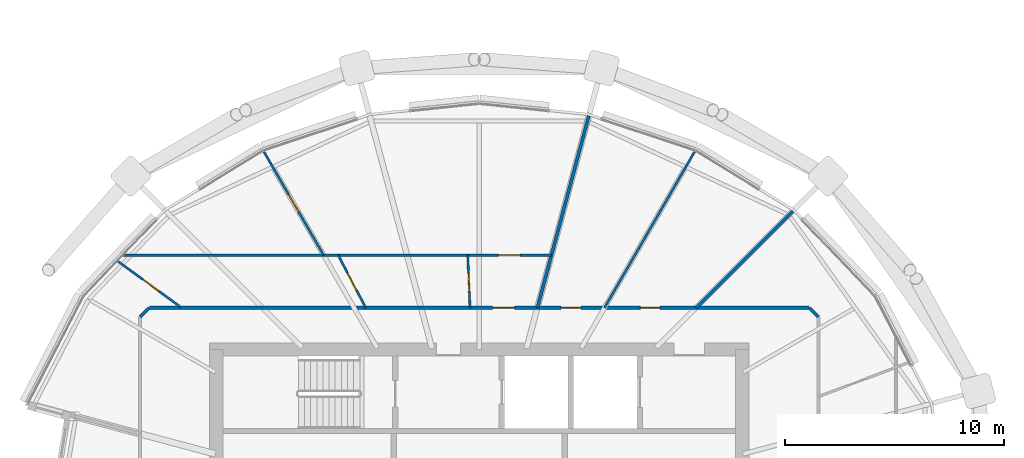
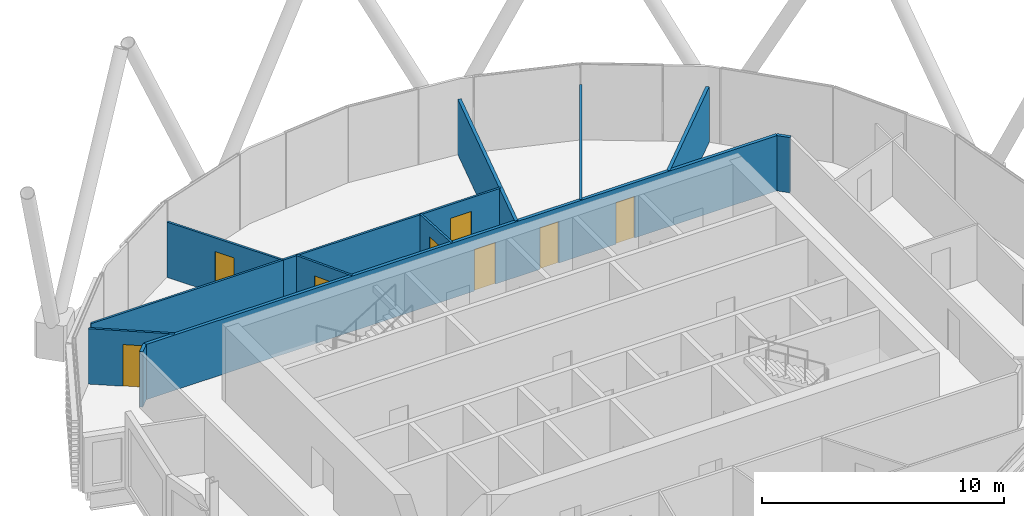
# One storey, part 24 of 36: 12 walls, 8 doors, 8 openings.
"""IFC4 building model written with IfcOpenShell, lengths in metres."""

from ifc_helpers import new_model, si_unit, direction, frame, frame_2d, origin, place, context, subcontext, project, spatial, rectangle, extrude, material, layer, layer_set, type_object, element, fill, save


model = new_model("IFC4")

# Units and contexts
model_context = context("Model", 3, precision=1e-05, world=origin(), true_north=direction((0.0, 1.0)))
body_context = subcontext(model_context, "Body", "Model", "MODEL_VIEW")
ifc_project = project(units=[si_unit("LENGTHUNIT", "METRE"), si_unit("AREAUNIT", "SQUARE_METRE"), si_unit("VOLUMEUNIT", "CUBIC_METRE"), si_unit("PLANEANGLEUNIT", "RADIAN"), si_unit("MASSUNIT", "GRAM", prefix="KILO")], contexts=[model_context])

# Site, building, storey
site_placement = place(None, origin())
site = spatial("IfcSite", under=ifc_project, at=site_placement, CompositionType="ELEMENT")
building_placement = place(site_placement, origin())
building = spatial("IfcBuilding", under=site, at=building_placement, Name="Rimbun Link Towers", CompositionType="ELEMENT")
storey_placement = place(building_placement, frame((0.0, 0.0, 193.10009765625)))
storey = spatial("IfcBuildingStorey", under=building, at=storey_placement, Name="L47", CompositionType="ELEMENT", Elevation=193.10009765625)

# Wall, openings, doors
ifc_material_1 = material(Name="Plasterboard on steel stud, mineral wool", Category="steel")
ifc_layer_1 = layer(ifc_material_1, 0.14990234375)
ifc_layer_set_1 = layer_set([ifc_layer_1], Name="Corridor wall EI 30 150 mm")
wall_type_1 = type_object("IfcWallType", Name="Corridor wall EI 30 150 mm", PredefinedType="PARTITIONING", material=ifc_layer_set_1)
wall_1_placement = place(storey_placement, frame((-46.8037109375, 9.89501953125, 0.0), z_axis=(0.0, 0.0, 1.0), x_axis=(1.0, 0.0, 0.0)))
wall_1 = element("IfcWall", 1, at=wall_1_placement, inside=storey, type_object=wall_type_1, Name="Corridor wall EI 30 150 mm", PredefinedType="PARTITIONING", context=body_context, shape_type="SweptSolid", body=[
    extrude(rectangle(XDim=30.107421875, YDim=0.14990234375, at=frame_2d((15.0537109375, 0.0))), origin(), (0.0, 0.0, 1.0), 2.788818359375),
])
opening_1_placement = place(wall_1_placement, frame((22.40771484375, 0.0, 0.0)))
opening_1 = element("IfcOpeningElement", 2, at=opening_1_placement, cuts=wall_1, Name="Opening D02", PredefinedType="OPENING", context=body_context, shape_type="SweptSolid", body=[
    extrude(rectangle(XDim=0.89990234375, YDim=2.10009765625, at=frame_2d((0.449951171875, 1.050048828125))), frame((0.0, 0.0849609375, 0.0), z_axis=(0.0, -1.0, 0.0), x_axis=(1.0, 0.0, 0.0)), (0.0, 0.0, 1.0), 0.169921875),
])
opening_2_placement = place(wall_1_placement, frame((18.785888671875, 0.0, 0.0)))
opening_2 = element("IfcOpeningElement", 3, at=opening_2_placement, cuts=wall_1, Name="Opening D02", PredefinedType="OPENING", context=body_context, shape_type="SweptSolid", body=[
    extrude(rectangle(XDim=0.89990234375, YDim=2.10009765625, at=frame_2d((0.449951171875, 1.050048828125))), frame((0.0, 0.0849609375, 0.0), z_axis=(0.0, -1.0, 0.0), x_axis=(1.0, 0.0, 0.0)), (0.0, 0.0, 1.0), 0.169921875),
])
opening_3_placement = place(wall_1_placement, frame((15.668212890625, 0.0, 0.0)))
opening_3 = element("IfcOpeningElement", 4, at=opening_3_placement, cuts=wall_1, Name="Opening D01", PredefinedType="OPENING", context=body_context, shape_type="SweptSolid", body=[
    extrude(rectangle(XDim=1.0, YDim=2.10009765625, at=frame_2d((0.5, 1.050048828125))), frame((0.0, 0.0849609375, 0.0), z_axis=(0.0, -1.0, 0.0), x_axis=(1.0, 0.0, 0.0)), (0.0, 0.0, 1.0), 0.169921875),
])
ifc_material_2 = material(Name="Fire-resisting timber door leaf", Category="wood")
door_type_1 = type_object("IfcDoorType", Name="Fire door FD30S 1000", OperationType="NOTDEFINED", PredefinedType="DOOR", material=ifc_material_2)
door_1_placement = place(opening_3_placement, origin())
door_1 = element("IfcDoor", 5, at=door_1_placement, inside=storey, type_object=door_type_1, Name="Fire door FD30S 1000 to Tenant lobby", OperationType="SINGLE_SWING_LEFT", OverallHeight=2.10009765625, OverallWidth=1.0, PredefinedType="DOOR", context=body_context, shape_type="SweptSolid", body=[
    extrude(rectangle(XDim=1.0, YDim=2.10009765625, at=frame_2d((0.5, 1.050048828125))), frame((0.0, 0.02490234375, 0.0), z_axis=(0.0, -1.0, 0.0), x_axis=(1.0, 0.0, 0.0)), (0.0, 0.0, 1.0), 0.050048828125),
])
fill(opening_3, door_1)
ifc_material_3 = material(Name="Fire-resisting timber door leaf", Category="wood")
door_type_2 = type_object("IfcDoorType", Name="Fire door FD30S 900", OperationType="NOTDEFINED", PredefinedType="DOOR", material=ifc_material_3)
door_2_placement = place(opening_1_placement, origin())
door_2 = element("IfcDoor", 6, at=door_2_placement, inside=storey, type_object=door_type_2, Name="Fire door FD30S 900 to Training room", OperationType="SINGLE_SWING_LEFT", OverallHeight=2.10009765625, OverallWidth=0.89990234375, PredefinedType="DOOR", context=body_context, shape_type="SweptSolid", body=[
    extrude(rectangle(XDim=0.89990234375, YDim=2.10009765625, at=frame_2d((0.449951171875, 1.050048828125))), frame((0.0, 0.02490234375, 0.0), z_axis=(0.0, -1.0, 0.0), x_axis=(1.0, 0.0, 0.0)), (0.0, 0.0, 1.0), 0.050048828125),
])
fill(opening_1, door_2)
door_3_placement = place(opening_2_placement, origin())
door_3 = element("IfcDoor", 7, at=door_3_placement, inside=storey, type_object=door_type_2, Name="Fire door FD30S 900 to Meeting room", OperationType="SINGLE_SWING_RIGHT", OverallHeight=2.10009765625, OverallWidth=0.89990234375, PredefinedType="DOOR", context=body_context, shape_type="SweptSolid", body=[
    extrude(rectangle(XDim=0.89990234375, YDim=2.10009765625, at=frame_2d((0.449951171875, 1.050048828125))), frame((0.0, 0.02490234375, 0.0), z_axis=(0.0, -1.0, 0.0), x_axis=(1.0, 0.0, 0.0)), (0.0, 0.0, 1.0), 0.050048828125),
])
fill(opening_2, door_3)

# Walls
for number, where, z_axis, x_axis, name in (
    (8, (-16.27490234375, 9.4736328125, 0.0), (0.0, 0.0, 1.0), (-0.707106781187, 0.707106781187, 0.0), "Corridor wall EI 30 150 mm"),
    (9, (-46.8037109375, 9.89501953125, 0.0), (0.0, 0.0, 1.0), (-0.707106781187, -0.707106781187, 0.0), "Corridor wall EI 30 150 mm"),
):
    element("IfcWall", number, at=place(storey_placement, frame(where, z_axis=z_axis, x_axis=x_axis)), inside=storey, type_object=wall_type_1, Name=name, PredefinedType="PARTITIONING", context=body_context, shape_type="SweptSolid", body=[
        extrude(rectangle(XDim=0.595947265625, YDim=0.14990234375, at=frame_2d((0.2978515625, 0.0))), origin(), (0.0, 0.0, 1.0), 2.788818359375),
    ])
ifc_material_4 = material(Name="Plasterboard on steel stud", Category="steel")
ifc_layer_2 = layer(ifc_material_4, 0.10009765625)
ifc_layer_set_2 = layer_set([ifc_layer_2], Name="Plasterboard partition 100 mm")
wall_type_2 = type_object("IfcWallType", Name="Plasterboard partition 100 mm", PredefinedType="PARTITIONING", material=ifc_layer_set_2)
wall_2_placement = place(storey_placement, frame((-21.906494140625, 17.0498046875, 0.0), z_axis=(0.0, 0.0, 1.0), x_axis=(-0.499981670823, -0.866035985881, 0.0)))
element("IfcWall", 10, at=wall_2_placement, inside=storey, type_object=wall_type_2, Name="Plasterboard partition 100 mm", PredefinedType="PARTITIONING", context=body_context, shape_type="SweptSolid", body=[
    extrude(rectangle(XDim=8.261474609375, YDim=0.10009765625, at=frame_2d((4.130859375, 0.0))), origin(), (0.0, 0.0, 1.0), 2.788818359375),
])

# Wall, opening, door
wall_3_placement = place(storey_placement, frame((-32.17236328125, 9.89501953125, 0.0), z_axis=(0.0, 0.0, 1.0), x_axis=(-0.042687401884, 0.999088477424, 0.0)))
wall_3 = element("IfcWall", 11, at=wall_3_placement, inside=storey, type_object=wall_type_2, Name="Plasterboard partition 100 mm", PredefinedType="PARTITIONING", context=body_context, shape_type="SweptSolid", body=[
    extrude(rectangle(XDim=2.402099609375, YDim=0.10009765625, at=frame_2d((1.201171875, 0.0))), origin(), (0.0, 0.0, 1.0), 2.788818359375),
])
opening_4_placement = place(wall_3_placement, frame((0.751220703125, 0.0, 0.0)))
opening_4 = element("IfcOpeningElement", 12, at=opening_4_placement, cuts=wall_3, Name="Opening D04", PredefinedType="OPENING", context=body_context, shape_type="SweptSolid", body=[
    extrude(rectangle(XDim=0.89990234375, YDim=2.10009765625, at=frame_2d((0.449951171875, 1.050048828125))), frame((0.0, 0.06005859375, 0.0), z_axis=(0.0, -1.0, 0.0), x_axis=(1.0, 0.0, 0.0)), (0.0, 0.0, 1.0), 0.1201171875),
])
ifc_material_5 = material(Name="Timber door leaf", Category="wood")
door_type_3 = type_object("IfcDoorType", Name="Flush door 900", OperationType="NOTDEFINED", PredefinedType="DOOR", material=ifc_material_5)
door_4_placement = place(opening_4_placement, origin())
door_4 = element("IfcDoor", 13, at=door_4_placement, inside=storey, type_object=door_type_3, Name="Flush door 900 to Huddle room", OperationType="SINGLE_SWING_RIGHT", OverallHeight=2.10009765625, OverallWidth=0.89990234375, PredefinedType="DOOR", context=body_context, shape_type="SweptSolid", body=[
    extrude(rectangle(XDim=0.89990234375, YDim=2.10009765625, at=frame_2d((0.449951171875, 1.050048828125))), frame((0.0, 0.02490234375, 0.0), z_axis=(0.0, -1.0, 0.0), x_axis=(1.0, 0.0, 0.0)), (0.0, 0.0, 1.0), 0.050048828125),
])
fill(opening_4, door_4)

wall_4_placement = place(storey_placement, frame((-38.848388671875, 12.294921875, 0.0), z_axis=(0.0, 0.0, 1.0), x_axis=(1.0, 0.0, 0.0)))
wall_4 = element("IfcWall", 14, at=wall_4_placement, inside=storey, type_object=wall_type_2, Name="Plasterboard partition 100 mm", PredefinedType="PARTITIONING", context=body_context, shape_type="SweptSolid", body=[
    extrude(rectangle(XDim=10.392822265625, YDim=0.10009765625, at=frame_2d((5.1962890625, 0.0))), origin(), (0.0, 0.0, 1.0), 2.788818359375),
])
opening_5_placement = place(wall_4_placement, frame((7.96826171875, 0.0, 0.0)))
opening_5 = element("IfcOpeningElement", 15, at=opening_5_placement, cuts=wall_4, Name="Opening D03", PredefinedType="OPENING", context=body_context, shape_type="SweptSolid", body=[
    extrude(rectangle(XDim=1.0, YDim=2.10009765625, at=frame_2d((0.5, 1.050048828125))), frame((0.0, 0.06005859375, 0.0), z_axis=(0.0, -1.0, 0.0), x_axis=(1.0, 0.0, 0.0)), (0.0, 0.0, 1.0), 0.1201171875),
])
ifc_material_6 = material(Name="Timber door leaf", Category="wood")
door_type_4 = type_object("IfcDoorType", Name="Flush door 1000", OperationType="NOTDEFINED", PredefinedType="DOOR", material=ifc_material_6)
door_5_placement = place(opening_5_placement, origin())
door_5 = element("IfcDoor", 16, at=door_5_placement, inside=storey, type_object=door_type_4, Name="Flush door 1000 to Open office", OperationType="SINGLE_SWING_RIGHT", OverallHeight=2.10009765625, OverallWidth=1.0, PredefinedType="DOOR", context=body_context, shape_type="SweptSolid", body=[
    extrude(rectangle(XDim=1.0, YDim=2.10009765625, at=frame_2d((0.5, 1.050048828125))), frame((0.0, 0.02490234375, 0.0), z_axis=(0.0, -1.0, 0.0), x_axis=(1.0, 0.0, 0.0)), (0.0, 0.0, 1.0), 0.050048828125),
])
fill(opening_5, door_5)

wall_5_placement = place(storey_placement, frame((-36.927734375, 9.89501953125, 0.0), z_axis=(0.0, 0.0, 1.0), x_axis=(-0.463649948862, 0.886018467596, 0.0)))
wall_5 = element("IfcWall", 17, at=wall_5_placement, inside=storey, type_object=wall_type_2, Name="Plasterboard partition 100 mm", PredefinedType="PARTITIONING", context=body_context, shape_type="SweptSolid", body=[
    extrude(rectangle(XDim=2.708740234375, YDim=0.10009765625, at=frame_2d((1.3544921875, 0.0))), origin(), (0.0, 0.0, 1.0), 2.788818359375),
])
opening_6_placement = place(wall_5_placement, frame((0.904296875, 0.0, 0.0)))
opening_6 = element("IfcOpeningElement", 18, at=opening_6_placement, cuts=wall_5, Name="Opening D04", PredefinedType="OPENING", context=body_context, shape_type="SweptSolid", body=[
    extrude(rectangle(XDim=0.89990234375, YDim=2.10009765625, at=frame_2d((0.449951171875, 1.050048828125))), frame((0.0, 0.06005859375, 0.0), z_axis=(0.0, -1.0, 0.0), x_axis=(1.0, 0.0, 0.0)), (0.0, 0.0, 1.0), 0.1201171875),
])
door_6_placement = place(opening_6_placement, origin())
door_6 = element("IfcDoor", 19, at=door_6_placement, inside=storey, type_object=door_type_3, Name="Flush door 900 to Huddle room", OperationType="SINGLE_SWING_LEFT", OverallHeight=2.10009765625, OverallWidth=0.89990234375, PredefinedType="DOOR", context=body_context, shape_type="SweptSolid", body=[
    extrude(rectangle(XDim=0.89990234375, YDim=2.10009765625, at=frame_2d((0.449951171875, 1.050048828125))), frame((0.0, 0.02490234375, 0.0), z_axis=(0.0, -1.0, 0.0), x_axis=(1.0, 0.0, 0.0)), (0.0, 0.0, 1.0), 0.050048828125),
])
fill(opening_6, door_6)

wall_6_placement = place(storey_placement, frame((-45.3662109375, 9.925048828125, 0.0), z_axis=(0.0, 0.0, 1.0), x_axis=(-0.808116399695, 0.589022821751, 0.0)))
wall_6 = element("IfcWall", 20, at=wall_6_placement, inside=storey, type_object=wall_type_2, Name="Plasterboard partition 100 mm", PredefinedType="PARTITIONING", context=body_context, shape_type="SweptSolid", body=[
    extrude(rectangle(XDim=3.580322265625, YDim=0.10009765625, at=frame_2d((1.7900390625, 0.0))), origin(), (0.0, 0.0, 1.0), 2.788818359375),
])
opening_7_placement = place(wall_6_placement, frame((1.242919921875, 0.0, 0.0)))
opening_7 = element("IfcOpeningElement", 21, at=opening_7_placement, cuts=wall_6, Name="Opening D04", PredefinedType="OPENING", context=body_context, shape_type="SweptSolid", body=[
    extrude(rectangle(XDim=0.89990234375, YDim=2.10009765625, at=frame_2d((0.449951171875, 1.050048828125))), frame((0.0, 0.06005859375, 0.0), z_axis=(0.0, -1.0, 0.0), x_axis=(1.0, 0.0, 0.0)), (0.0, 0.0, 1.0), 0.1201171875),
])
door_7_placement = place(opening_7_placement, origin())
door_7 = element("IfcDoor", 22, at=door_7_placement, inside=storey, type_object=door_type_3, Name="Flush door 900 to Pantry", OperationType="SINGLE_SWING_RIGHT", OverallHeight=2.10009765625, OverallWidth=0.89990234375, PredefinedType="DOOR", context=body_context, shape_type="SweptSolid", body=[
    extrude(rectangle(XDim=0.89990234375, YDim=2.10009765625, at=frame_2d((0.449951171875, 1.050048828125))), frame((0.0, 0.02490234375, 0.0), z_axis=(0.0, -1.0, 0.0), x_axis=(1.0, 0.0, 0.0)), (0.0, 0.0, 1.0), 0.050048828125),
])
fill(opening_7, door_7)

# Wall
wall_7_placement = place(storey_placement, frame((-38.848388671875, 12.294921875, 0.0), z_axis=(0.0, 0.0, 1.0), x_axis=(-1.0, 0.0, 0.0)))
element("IfcWall", 23, at=wall_7_placement, inside=storey, type_object=wall_type_2, Name="Plasterboard partition 100 mm", PredefinedType="PARTITIONING", context=body_context, shape_type="SweptSolid", body=[
    extrude(rectangle(XDim=9.1552734375, YDim=0.10009765625, at=frame_2d((4.57763671875, 0.0))), origin(), (0.0, 0.0, 1.0), 2.788818359375),
])

# Wall, opening, door
wall_8_placement = place(storey_placement, frame((-38.848388671875, 12.294921875, 0.0), z_axis=(0.0, 0.0, 1.0), x_axis=(-0.49998419723, 0.866034527326, 0.0)))
wall_8 = element("IfcWall", 24, at=wall_8_placement, inside=storey, type_object=wall_type_2, Name="Plasterboard partition 100 mm", PredefinedType="PARTITIONING", context=body_context, shape_type="SweptSolid", body=[
    extrude(rectangle(XDim=5.490478515625, YDim=0.10009765625, at=frame_2d((2.7451171875, 0.0))), origin(), (0.0, 0.0, 1.0), 2.788818359375),
])
opening_8_placement = place(wall_8_placement, frame((2.295166015625, 0.0, 0.0)))
opening_8 = element("IfcOpeningElement", 25, at=opening_8_placement, cuts=wall_8, Name="Opening D04", PredefinedType="OPENING", context=body_context, shape_type="SweptSolid", body=[
    extrude(rectangle(XDim=0.89990234375, YDim=2.10009765625, at=frame_2d((0.449951171875, 1.050048828125))), frame((0.0, 0.06005859375, 0.0), z_axis=(0.0, -1.0, 0.0), x_axis=(1.0, 0.0, 0.0)), (0.0, 0.0, 1.0), 0.1201171875),
])
door_8_placement = place(opening_8_placement, origin())
door_8 = element("IfcDoor", 26, at=door_8_placement, inside=storey, type_object=door_type_3, Name="Flush door 900 to Project room", OperationType="SINGLE_SWING_RIGHT", OverallHeight=2.10009765625, OverallWidth=0.89990234375, PredefinedType="DOOR", context=body_context, shape_type="SweptSolid", body=[
    extrude(rectangle(XDim=0.89990234375, YDim=2.10009765625, at=frame_2d((0.449951171875, 1.050048828125))), frame((0.0, 0.02490234375, 0.0), z_axis=(0.0, -1.0, 0.0), x_axis=(1.0, 0.0, 0.0)), (0.0, 0.0, 1.0), 0.050048828125),
])
fill(opening_8, door_8)

# Walls
ifc_material_7 = material(Name="Plasterboard on steel stud, mineral wool", Category="steel")
ifc_layer_3 = layer(ifc_material_7, 0.14990234375)
ifc_layer_set_3 = layer_set([ifc_layer_3], Name="Tenancy separation wall EI 60 150 mm")
wall_type_3 = type_object("IfcWallType", Name="Tenancy separation wall EI 60 150 mm", PredefinedType="PARTITIONING", material=ifc_layer_set_3)
wall_9_placement = place(storey_placement, frame((-21.85498046875, 9.89501953125, 0.0), z_axis=(0.0, 0.0, 1.0), x_axis=(0.707106781187, 0.707106781187, 0.0)))
element("IfcWall", 27, at=wall_9_placement, inside=storey, type_object=wall_type_3, Name="Tenancy separation wall EI 60 150 mm", PredefinedType="PARTITIONING", context=body_context, shape_type="SweptSolid", body=[
    extrude(rectangle(XDim=6.241455078125, YDim=0.14990234375, at=frame_2d((3.12060546875, 0.0))), origin(), (0.0, 0.0, 1.0), 2.788818359375),
])
wall_10_placement = place(storey_placement, frame((-29.0986328125, 9.89501953125, 0.0), z_axis=(0.0, 0.0, 1.0), x_axis=(0.25883027395, 0.965922817459, 0.0)))
element("IfcWall", 28, at=wall_10_placement, inside=storey, type_object=wall_type_3, Name="Tenancy separation wall EI 60 150 mm", PredefinedType="PARTITIONING", context=body_context, shape_type="SweptSolid", body=[
    extrude(rectangle(XDim=9.0693359375, YDim=0.14990234375, at=frame_2d((4.53466796875, 0.0))), origin(), (0.0, 0.0, 1.0), 2.788818359375),
])

save(model, "model.ifc")
